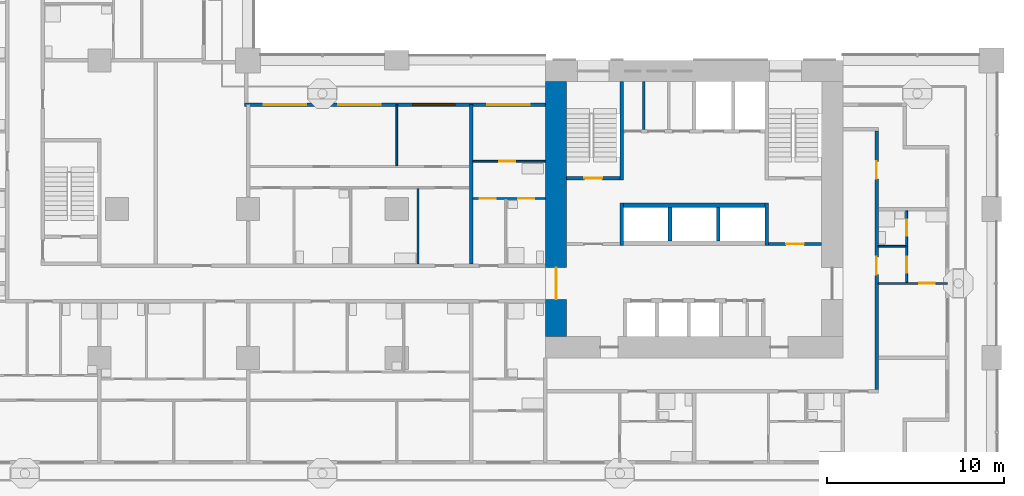
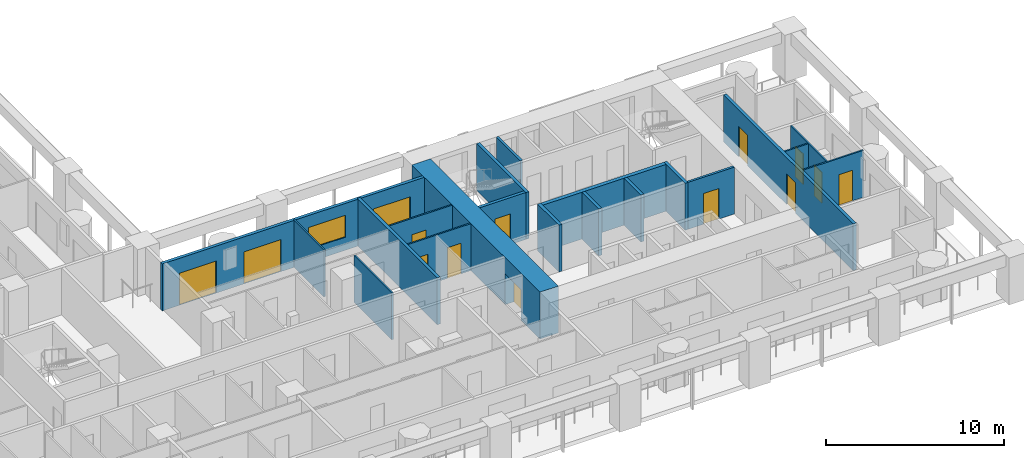
# One storey, part 7 of 22: 20 walls, 14 doors, 1 window, 15 openings.
"""IFC4 building model written with IfcOpenShell, lengths in metres."""

from ifc_helpers import new_model, si_unit, direction, frame, frame_2d, origin, place, context, subcontext, project, spatial, rectangle, extrude, material, layer, layer_set, type_object, element, fill, save


model = new_model("IFC4")

# Units and contexts
model_context = context("Model", 3, precision=1e-05, world=origin(), true_north=direction((0.0, 1.0)))
body_context = subcontext(model_context, "Body", "Model", "MODEL_VIEW")
ifc_project = project(units=[si_unit("LENGTHUNIT", "METRE"), si_unit("AREAUNIT", "SQUARE_METRE"), si_unit("VOLUMEUNIT", "CUBIC_METRE"), si_unit("PLANEANGLEUNIT", "RADIAN"), si_unit("MASSUNIT", "GRAM", prefix="KILO")], contexts=[model_context])

# Site, building, storey
site_placement = place(None, origin())
site = spatial("IfcSite", under=ifc_project, at=site_placement, CompositionType="ELEMENT")
building_placement = place(site_placement, origin())
building = spatial("IfcBuilding", under=site, at=building_placement, Name="Vermilion Gate Residences", CompositionType="ELEMENT")
storey_placement = place(building_placement, frame((0.0, 0.0, 63.699951171875)))
storey = spatial("IfcBuildingStorey", under=building, at=storey_placement, Name="L15", CompositionType="ELEMENT", Elevation=63.699951171875)

# Wall
ifc_material_1 = material(Name="Masonry blockwork", Category="masonry")
ifc_layer_1 = layer(ifc_material_1, 0.14990234375)
ifc_layer_set_1 = layer_set([ifc_layer_1], Name="BLOCKWORK PARTITION 150 EI 120")
wall_type_1 = type_object("IfcWallType", Name="BLOCKWORK PARTITION 150 EI 120", PredefinedType="PARTITIONING", material=ifc_layer_set_1)
wall_1_placement = place(storey_placement, frame((47.554931640625, 21.300048828125, 0.0), z_axis=(0.0, 0.0, 1.0), x_axis=(0.0, 1.0, 0.0)))
element("IfcWall", 1, at=wall_1_placement, inside=storey, type_object=wall_type_1, Name="Core room partition A15-NR-P0", PredefinedType="PARTITIONING", context=body_context, shape_type="SweptSolid", body=[
    extrude(rectangle(XDim=2.699951171875, YDim=0.14990234375, at=frame_2d((1.35009765625, 0.0))), origin(), (0.0, 0.0, 1.0), 3.219970703125),
])

# Wall, opening, door
wall_2_placement = place(storey_placement, frame((54.60009765625, 14.824951171875, 0.0), z_axis=(0.0, 0.0, 1.0), x_axis=(1.0, 0.0, 0.0)))
wall_2 = element("IfcWall", 2, at=wall_2_placement, inside=storey, type_object=wall_type_1, Name="Core room partition A15-VE-S", PredefinedType="PARTITIONING", context=body_context, shape_type="SweptSolid", body=[
    extrude(rectangle(XDim=3.0, YDim=0.14990234375, at=frame_2d((1.5, 0.0))), origin(), (0.0, 0.0, 1.0), 3.219970703125),
])
opening_1_placement = place(wall_2_placement, frame((1.0, 0.0, 0.0)))
opening_1 = element("IfcOpeningElement", 3, at=opening_1_placement, cuts=wall_2, Name="Opening DK15017", PredefinedType="OPENING", context=body_context, shape_type="SweptSolid", body=[
    extrude(rectangle(XDim=1.0, YDim=2.10009765625, at=frame_2d((0.5, 1.050048828125))), frame((0.0, 0.0849609375, 0.0), z_axis=(0.0, -1.0, 0.0), x_axis=(1.0, 0.0, 0.0)), (0.0, 0.0, 1.0), 0.169921875),
])
ifc_material_2 = material(Name="Steel", Category="steel")
door_type_1 = type_object("IfcDoorType", Name="FIRE DOOR FD60 1000 X 2100", OperationType="SINGLE_SWING_LEFT", PredefinedType="DOOR", material=ifc_material_2)
door_1_placement = place(opening_1_placement, frame((1.0, 0.0, 0.0), z_axis=(0.0, 0.0, 1.0), x_axis=(-1.0, 0.0, 0.0)))
door_1 = element("IfcDoor", 4, at=door_1_placement, inside=storey, type_object=door_type_1, Name="Stair vestibule door A15", OperationType="SINGLE_SWING_LEFT", OverallHeight=2.10009765625, OverallWidth=1.0, PredefinedType="DOOR", context=body_context, shape_type="SweptSolid", body=[
    extrude(rectangle(XDim=1.0, YDim=2.10009765625, at=frame_2d((0.5, 1.050048828125))), frame((0.0, 0.02490234375, 0.0), z_axis=(0.0, -1.0, 0.0), x_axis=(1.0, 0.0, 0.0)), (0.0, 0.0, 1.0), 0.050048828125),
])
fill(opening_1, door_1)

# Wall, openings, doors, window
ifc_material_3 = material(Name="Insulated steel stud wall with terracotta rainscreen", Category="masonry")
ifc_layer_2 = layer(ifc_material_3, 0.199951171875)
ifc_layer_set_2 = layer_set([ifc_layer_2], Name="EXTERNAL WALL 200 TERRACOTTA RAINSCREEN")
wall_type_2 = type_object("IfcWallType", Name="EXTERNAL WALL 200 TERRACOTTA RAINSCREEN", PredefinedType="SOLIDWALL", material=ifc_layer_set_2)
wall_3_placement = place(storey_placement, frame((42.0, 22.699951171875, 0.0), z_axis=(0.0, 0.0, 1.0), x_axis=(-1.0, 0.0, 0.0)))
wall_3 = element("IfcWall", 5, at=wall_3_placement, inside=storey, type_object=wall_type_2, Name="External wall", PredefinedType="SOLIDWALL", context=body_context, shape_type="SweptSolid", body=[
    extrude(rectangle(XDim=17.0, YDim=0.199951171875, at=frame_2d((8.5, 0.0))), origin(), (0.0, 0.0, 1.0), 3.219970703125),
])
opening_2_placement = place(wall_3_placement, frame((13.5, 0.0, 0.0)))
opening_2 = element("IfcOpeningElement", 6, at=opening_2_placement, cuts=wall_3, Name="Opening DE15033", PredefinedType="OPENING", context=body_context, shape_type="SweptSolid", body=[
    extrude(rectangle(XDim=2.39990234375, YDim=2.199951171875, at=frame_2d((1.199951171875, 1.10009765625))), frame((0.0, 0.10986328125, 0.0), z_axis=(0.0, -1.0, 0.0), x_axis=(1.0, 0.0, 0.0)), (0.0, 0.0, 1.0), 0.219970703125),
])
opening_3_placement = place(wall_3_placement, frame((9.300048828125, 0.0, 0.0)))
opening_3 = element("IfcOpeningElement", 7, at=opening_3_placement, cuts=wall_3, Name="Opening DE15034", PredefinedType="OPENING", context=body_context, shape_type="SweptSolid", body=[
    extrude(rectangle(XDim=2.39990234375, YDim=2.199951171875, at=frame_2d((1.199951171875, 1.10009765625))), frame((0.0, 0.10986328125, 0.0), z_axis=(0.0, -1.0, 0.0), x_axis=(1.0, 0.0, 0.0)), (0.0, 0.0, 1.0), 0.219970703125),
])
opening_4_placement = place(wall_3_placement, frame((5.10009765625, 0.0, 0.89990234375)))
opening_4 = element("IfcOpeningElement", 8, at=opening_4_placement, cuts=wall_3, Name="Opening WE15035", PredefinedType="OPENING", context=body_context, shape_type="SweptSolid", body=[
    extrude(rectangle(XDim=2.39990234375, YDim=1.5, at=frame_2d((1.199951171875, 0.75))), frame((0.0, 0.10986328125, 0.0), z_axis=(0.0, -1.0, 0.0), x_axis=(1.0, 0.0, 0.0)), (0.0, 0.0, 1.0), 0.219970703125),
])
opening_5_placement = place(wall_3_placement, frame((0.89990234375, 0.0, 0.0)))
opening_5 = element("IfcOpeningElement", 9, at=opening_5_placement, cuts=wall_3, Name="Opening DE15036", PredefinedType="OPENING", context=body_context, shape_type="SweptSolid", body=[
    extrude(rectangle(XDim=2.39990234375, YDim=2.199951171875, at=frame_2d((1.199951171875, 1.10009765625))), frame((0.0, 0.10986328125, 0.0), z_axis=(0.0, -1.0, 0.0), x_axis=(1.0, 0.0, 0.0)), (0.0, 0.0, 1.0), 0.219970703125),
])
ifc_material_4 = material(Name="Aluminium and clear glass", Category="aluminium")
door_type_2 = type_object("IfcDoorType", Name="SLIDING GLAZED DOOR 2400 X 2200", OperationType="DOUBLE_DOOR_SLIDING", PredefinedType="DOOR", material=ifc_material_4)
door_2_placement = place(opening_2_placement, origin())
door_2 = element("IfcDoor", 10, at=door_2_placement, inside=storey, type_object=door_type_2, Name="Loggia sliding door", OperationType="DOUBLE_DOOR_SLIDING", OverallHeight=2.199951171875, OverallWidth=2.39990234375, PredefinedType="DOOR", context=body_context, shape_type="SweptSolid", body=[
    extrude(rectangle(XDim=2.39990234375, YDim=2.199951171875, at=frame_2d((1.199951171875, 1.10009765625))), frame((0.0, 0.02490234375, 0.0), z_axis=(0.0, -1.0, 0.0), x_axis=(1.0, 0.0, 0.0)), (0.0, 0.0, 1.0), 0.050048828125),
])
fill(opening_2, door_2)
door_3_placement = place(opening_3_placement, origin())
door_3 = element("IfcDoor", 11, at=door_3_placement, inside=storey, type_object=door_type_2, Name="Loggia sliding door", OperationType="DOUBLE_DOOR_SLIDING", OverallHeight=2.199951171875, OverallWidth=2.39990234375, PredefinedType="DOOR", context=body_context, shape_type="SweptSolid", body=[
    extrude(rectangle(XDim=2.39990234375, YDim=2.199951171875, at=frame_2d((1.199951171875, 1.10009765625))), frame((0.0, 0.02490234375, 0.0), z_axis=(0.0, -1.0, 0.0), x_axis=(1.0, 0.0, 0.0)), (0.0, 0.0, 1.0), 0.050048828125),
])
fill(opening_3, door_3)
door_4_placement = place(opening_5_placement, origin())
door_4 = element("IfcDoor", 12, at=door_4_placement, inside=storey, type_object=door_type_2, Name="Loggia sliding door", OperationType="DOUBLE_DOOR_SLIDING", OverallHeight=2.199951171875, OverallWidth=2.39990234375, PredefinedType="DOOR", context=body_context, shape_type="SweptSolid", body=[
    extrude(rectangle(XDim=2.39990234375, YDim=2.199951171875, at=frame_2d((1.199951171875, 1.10009765625))), frame((0.0, 0.02490234375, 0.0), z_axis=(0.0, -1.0, 0.0), x_axis=(1.0, 0.0, 0.0)), (0.0, 0.0, 1.0), 0.050048828125),
])
fill(opening_5, door_4)
ifc_material_5 = material(Name="Aluminium and clear glass", Category="aluminium")
window_type = type_object("IfcWindowType", Name="WINDOW 2400 X 1500", PartitioningType="SINGLE_PANEL", PredefinedType="WINDOW", material=ifc_material_5)
window_placement = place(opening_4_placement, origin())
window = element("IfcWindow", 13, at=window_placement, inside=storey, type_object=window_type, Name="Window", OverallHeight=1.5, OverallWidth=2.39990234375, PartitioningType="SINGLE_PANEL", PredefinedType="WINDOW", context=body_context, shape_type="SweptSolid", body=[
    extrude(rectangle(XDim=2.39990234375, YDim=1.5, at=frame_2d((1.199951171875, 0.75))), frame((0.0, 0.030029296875, 0.0), z_axis=(0.0, -1.0, 0.0), x_axis=(1.0, 0.0, 0.0)), (0.0, 0.0, 1.0), 0.06005859375),
])
fill(opening_4, window)

# Wall, opening, door
ifc_material_6 = material(Name="Plasterboard on steel studs", Category="steel")
ifc_layer_3 = layer(ifc_material_6, 0.10009765625)
ifc_layer_set_3 = layer_set([ifc_layer_3], Name="PARTITION 100")
wall_type_3 = type_object("IfcWallType", Name="PARTITION 100", PredefinedType="PARTITIONING", material=ifc_layer_set_3)
wall_4_placement = place(storey_placement, frame((60.800048828125, 12.60009765625, 0.0), z_axis=(0.0, 0.0, 1.0), x_axis=(1.0, 0.0, 0.0)))
wall_4 = element("IfcWall", 14, at=wall_4_placement, inside=storey, type_object=wall_type_3, Name="Partition", PredefinedType="PARTITIONING", context=body_context, shape_type="SweptSolid", body=[
    extrude(rectangle(XDim=3.89990234375, YDim=0.10009765625, at=frame_2d((1.949951171875, 0.0))), origin(), (0.0, 0.0, 1.0), 3.219970703125),
])
opening_6_placement = place(wall_4_placement, frame((2.300048828125, 0.0, 0.0)))
opening_6 = element("IfcOpeningElement", 15, at=opening_6_placement, cuts=wall_4, Name="Opening DA13031", PredefinedType="OPENING", context=body_context, shape_type="SweptSolid", body=[
    extrude(rectangle(XDim=0.89990234375, YDim=2.10009765625, at=frame_2d((0.449951171875, 1.050048828125))), frame((0.0, 0.06005859375, 0.0), z_axis=(0.0, -1.0, 0.0), x_axis=(1.0, 0.0, 0.0)), (0.0, 0.0, 1.0), 0.1201171875),
])
ifc_material_7 = material(Name="Timber", Category="wood")
door_type_3 = type_object("IfcDoorType", Name="INTERIOR DOOR 900 X 2100", OperationType="SINGLE_SWING_LEFT", PredefinedType="DOOR", material=ifc_material_7)
door_5_placement = place(opening_6_placement, origin())
door_5 = element("IfcDoor", 16, at=door_5_placement, inside=storey, type_object=door_type_3, Name="Interior door", OperationType="SINGLE_SWING_RIGHT", OverallHeight=2.10009765625, OverallWidth=0.89990234375, PredefinedType="DOOR", context=body_context, shape_type="SweptSolid", body=[
    extrude(rectangle(XDim=0.89990234375, YDim=2.10009765625, at=frame_2d((0.449951171875, 1.050048828125))), frame((0.0, 0.02490234375, 0.0), z_axis=(0.0, -1.0, 0.0), x_axis=(1.0, 0.0, 0.0)), (0.0, 0.0, 1.0), 0.050048828125),
])
fill(opening_6, door_5)

# Wall
wall_5_placement = place(storey_placement, frame((60.800048828125, 14.699951171875, 0.0), z_axis=(0.0, 0.0, 1.0), x_axis=(1.0, 0.0, 0.0)))
element("IfcWall", 17, at=wall_5_placement, inside=storey, type_object=wall_type_3, Name="Partition", PredefinedType="PARTITIONING", context=body_context, shape_type="SweptSolid", body=[
    extrude(rectangle(XDim=1.550048828125, YDim=0.10009765625, at=frame_2d((0.77490234375, 0.0))), origin(), (0.0, 0.0, 1.0), 3.219970703125),
])

# Wall, openings, doors
wall_6_placement = place(storey_placement, frame((37.89990234375, 17.39990234375, 0.0), z_axis=(0.0, 0.0, 1.0), x_axis=(1.0, 0.0, 0.0)))
wall_6 = element("IfcWall", 18, at=wall_6_placement, inside=storey, type_object=wall_type_3, Name="Partition", PredefinedType="PARTITIONING", context=body_context, shape_type="SweptSolid", body=[
    extrude(rectangle(XDim=4.10009765625, YDim=0.10009765625, at=frame_2d((2.050048828125, 0.0))), origin(), (0.0, 0.0, 1.0), 3.219970703125),
])
opening_7_placement = place(wall_6_placement, frame((0.39990234375, 0.0, 0.0)))
opening_7 = element("IfcOpeningElement", 19, at=opening_7_placement, cuts=wall_6, Name="Opening DA13035", PredefinedType="OPENING", context=body_context, shape_type="SweptSolid", body=[
    extrude(rectangle(XDim=0.89990234375, YDim=2.10009765625, at=frame_2d((0.449951171875, 1.050048828125))), frame((0.0, 0.06005859375, 0.0), z_axis=(0.0, -1.0, 0.0), x_axis=(1.0, 0.0, 0.0)), (0.0, 0.0, 1.0), 0.1201171875),
])
opening_8_placement = place(wall_6_placement, frame((2.56005859375, 0.0, 0.0)))
opening_8 = element("IfcOpeningElement", 20, at=opening_8_placement, cuts=wall_6, Name="Opening DA13036", PredefinedType="OPENING", context=body_context, shape_type="SweptSolid", body=[
    extrude(rectangle(XDim=0.89990234375, YDim=2.10009765625, at=frame_2d((0.449951171875, 1.050048828125))), frame((0.0, 0.06005859375, 0.0), z_axis=(0.0, -1.0, 0.0), x_axis=(1.0, 0.0, 0.0)), (0.0, 0.0, 1.0), 0.1201171875),
])
door_6_placement = place(opening_7_placement, origin())
door_6 = element("IfcDoor", 21, at=door_6_placement, inside=storey, type_object=door_type_3, Name="Interior door", OperationType="SINGLE_SWING_LEFT", OverallHeight=2.10009765625, OverallWidth=0.89990234375, PredefinedType="DOOR", context=body_context, shape_type="SweptSolid", body=[
    extrude(rectangle(XDim=0.89990234375, YDim=2.10009765625, at=frame_2d((0.449951171875, 1.050048828125))), frame((0.0, 0.02490234375, 0.0), z_axis=(0.0, -1.0, 0.0), x_axis=(1.0, 0.0, 0.0)), (0.0, 0.0, 1.0), 0.050048828125),
])
fill(opening_7, door_6)
door_7_placement = place(opening_8_placement, frame((0.89990234375, 0.0, 0.0), z_axis=(0.0, 0.0, 1.0), x_axis=(-1.0, 0.0, 0.0)))
door_7 = element("IfcDoor", 22, at=door_7_placement, inside=storey, type_object=door_type_3, Name="Interior door", OperationType="SINGLE_SWING_RIGHT", OverallHeight=2.10009765625, OverallWidth=0.89990234375, PredefinedType="DOOR", context=body_context, shape_type="SweptSolid", body=[
    extrude(rectangle(XDim=0.89990234375, YDim=2.10009765625, at=frame_2d((0.449951171875, 1.050048828125))), frame((0.0, 0.02490234375, 0.0), z_axis=(0.0, -1.0, 0.0), x_axis=(1.0, 0.0, 0.0)), (0.0, 0.0, 1.0), 0.050048828125),
])
fill(opening_8, door_7)

# Wall, opening, door
wall_7_placement = place(storey_placement, frame((37.89990234375, 19.5, 0.0), z_axis=(0.0, 0.0, 1.0), x_axis=(1.0, 0.0, 0.0)))
wall_7 = element("IfcWall", 23, at=wall_7_placement, inside=storey, type_object=wall_type_3, Name="Partition", PredefinedType="PARTITIONING", context=body_context, shape_type="SweptSolid", body=[
    extrude(rectangle(XDim=4.10009765625, YDim=0.10009765625, at=frame_2d((2.050048828125, 0.0))), origin(), (0.0, 0.0, 1.0), 3.219970703125),
])
opening_9_placement = place(wall_7_placement, frame((1.5, 0.0, 0.0)))
opening_9 = element("IfcOpeningElement", 24, at=opening_9_placement, cuts=wall_7, Name="Opening DA13043", PredefinedType="OPENING", context=body_context, shape_type="SweptSolid", body=[
    extrude(rectangle(XDim=0.89990234375, YDim=2.10009765625, at=frame_2d((0.449951171875, 1.050048828125))), frame((0.0, 0.06005859375, 0.0), z_axis=(0.0, -1.0, 0.0), x_axis=(1.0, 0.0, 0.0)), (0.0, 0.0, 1.0), 0.1201171875),
])
door_8_placement = place(opening_9_placement, frame((0.89990234375, 0.0, 0.0), z_axis=(0.0, 0.0, 1.0), x_axis=(-1.0, 0.0, 0.0)))
door_8 = element("IfcDoor", 25, at=door_8_placement, inside=storey, type_object=door_type_3, Name="Interior door", OperationType="SINGLE_SWING_LEFT", OverallHeight=2.10009765625, OverallWidth=0.89990234375, PredefinedType="DOOR", context=body_context, shape_type="SweptSolid", body=[
    extrude(rectangle(XDim=0.89990234375, YDim=2.10009765625, at=frame_2d((0.449951171875, 1.050048828125))), frame((0.0, 0.02490234375, 0.0), z_axis=(0.0, -1.0, 0.0), x_axis=(1.0, 0.0, 0.0)), (0.0, 0.0, 1.0), 0.050048828125),
])
fill(opening_9, door_8)

# Walls
wall_8_placement = place(storey_placement, frame((33.60009765625, 19.25, 0.0), z_axis=(0.0, 0.0, 1.0), x_axis=(0.0, 1.0, 0.0)))
element("IfcWall", 26, at=wall_8_placement, inside=storey, type_object=wall_type_3, Name="Partition", PredefinedType="PARTITIONING", context=body_context, shape_type="SweptSolid", body=[
    extrude(rectangle(XDim=3.449951171875, YDim=0.10009765625, at=frame_2d((1.72509765625, 0.0))), origin(), (0.0, 0.0, 1.0), 3.219970703125),
])
wall_9_placement = place(storey_placement, frame((34.800048828125, 13.699951171875, 0.0), z_axis=(0.0, 0.0, 1.0), x_axis=(0.0, 1.0, 0.0)))
element("IfcWall", 27, at=wall_9_placement, inside=storey, type_object=wall_type_3, Name="Partition", PredefinedType="PARTITIONING", context=body_context, shape_type="SweptSolid", body=[
    extrude(rectangle(XDim=4.25, YDim=0.10009765625, at=frame_2d((2.125, 0.0))), origin(), (0.0, 0.0, 1.0), 3.219970703125),
])

# Wall, openings, doors
wall_10_placement = place(storey_placement, frame((62.39990234375, 12.64990234375, 0.0), z_axis=(0.0, 0.0, 1.0), x_axis=(0.0, 1.0, 0.0)))
wall_10 = element("IfcWall", 28, at=wall_10_placement, inside=storey, type_object=wall_type_3, Name="Partition", PredefinedType="PARTITIONING", context=body_context, shape_type="SweptSolid", body=[
    extrude(rectangle(XDim=4.050048828125, YDim=0.10009765625, at=frame_2d((2.02490234375, 0.0))), origin(), (0.0, 0.0, 1.0), 3.219970703125),
])
opening_10_placement = place(wall_10_placement, frame((0.550048828125, 0.0, 0.0)))
opening_10 = element("IfcOpeningElement", 29, at=opening_10_placement, cuts=wall_10, Name="Opening DA13085", PredefinedType="OPENING", context=body_context, shape_type="SweptSolid", body=[
    extrude(rectangle(XDim=0.89990234375, YDim=2.10009765625, at=frame_2d((0.449951171875, 1.050048828125))), frame((0.0, 0.06005859375, 0.0), z_axis=(0.0, -1.0, 0.0), x_axis=(1.0, 0.0, 0.0)), (0.0, 0.0, 1.0), 0.1201171875),
])
opening_11_placement = place(wall_10_placement, frame((2.64990234375, 0.0, 0.0)))
opening_11 = element("IfcOpeningElement", 30, at=opening_11_placement, cuts=wall_10, Name="Opening DA13086", PredefinedType="OPENING", context=body_context, shape_type="SweptSolid", body=[
    extrude(rectangle(XDim=0.89990234375, YDim=2.10009765625, at=frame_2d((0.449951171875, 1.050048828125))), frame((0.0, 0.06005859375, 0.0), z_axis=(0.0, -1.0, 0.0), x_axis=(1.0, 0.0, 0.0)), (0.0, 0.0, 1.0), 0.1201171875),
])
door_9_placement = place(opening_10_placement, frame((0.89990234375, 0.0, 0.0), z_axis=(0.0, 0.0, 1.0), x_axis=(-1.0, 0.0, 0.0)))
door_9 = element("IfcDoor", 31, at=door_9_placement, inside=storey, type_object=door_type_3, Name="Interior door", OperationType="SINGLE_SWING_RIGHT", OverallHeight=2.10009765625, OverallWidth=0.89990234375, PredefinedType="DOOR", context=body_context, shape_type="SweptSolid", body=[
    extrude(rectangle(XDim=0.89990234375, YDim=2.10009765625, at=frame_2d((0.449951171875, 1.050048828125))), frame((0.0, 0.02490234375, 0.0), z_axis=(0.0, -1.0, 0.0), x_axis=(1.0, 0.0, 0.0)), (0.0, 0.0, 1.0), 0.050048828125),
])
fill(opening_10, door_9)
door_10_placement = place(opening_11_placement, origin())
door_10 = element("IfcDoor", 32, at=door_10_placement, inside=storey, type_object=door_type_3, Name="Interior door", OperationType="SINGLE_SWING_RIGHT", OverallHeight=2.10009765625, OverallWidth=0.89990234375, PredefinedType="DOOR", context=body_context, shape_type="SweptSolid", body=[
    extrude(rectangle(XDim=0.89990234375, YDim=2.10009765625, at=frame_2d((0.449951171875, 1.050048828125))), frame((0.0, 0.02490234375, 0.0), z_axis=(0.0, -1.0, 0.0), x_axis=(1.0, 0.0, 0.0)), (0.0, 0.0, 1.0), 0.050048828125),
])
fill(opening_11, door_10)

# Wall
ifc_material_8 = material(Name="Fire-rated plasterboard on steel studs", Category="steel")
ifc_layer_4 = layer(ifc_material_8, 0.199951171875)
ifc_layer_set_4 = layer_set([ifc_layer_4], Name="PARTY WALL 200 EI 120")
wall_type_4 = type_object("IfcWallType", Name="PARTY WALL 200 EI 120", PredefinedType="PARTITIONING", material=ifc_layer_set_4)
wall_11_placement = place(storey_placement, frame((37.800048828125, 13.699951171875, 0.0), z_axis=(0.0, 0.0, 1.0), x_axis=(0.0, 1.0, 0.0)))
element("IfcWall", 33, at=wall_11_placement, inside=storey, type_object=wall_type_4, Name="Party and corridor wall", PredefinedType="PARTITIONING", context=body_context, shape_type="SweptSolid", body=[
    extrude(rectangle(XDim=9.0, YDim=0.199951171875, at=frame_2d((4.5, 0.0))), origin(), (0.0, 0.0, 1.0), 3.219970703125),
])

# Wall, openings, doors
wall_12_placement = place(storey_placement, frame((60.699951171875, 6.60009765625, 0.0), z_axis=(0.0, 0.0, 1.0), x_axis=(0.0, 1.0, 0.0)))
wall_12 = element("IfcWall", 34, at=wall_12_placement, inside=storey, type_object=wall_type_4, Name="Party and corridor wall", PredefinedType="PARTITIONING", context=body_context, shape_type="SweptSolid", body=[
    extrude(rectangle(XDim=14.599853515625, YDim=0.199951171875, at=frame_2d((7.2998046875, 0.0))), origin(), (0.0, 0.0, 1.0), 3.219970703125),
])
opening_12_placement = place(wall_12_placement, frame((6.5, 0.0, 0.0)))
opening_12 = element("IfcOpeningElement", 35, at=opening_12_placement, cuts=wall_12, Name="Opening DA13083", PredefinedType="OPENING", context=body_context, shape_type="SweptSolid", body=[
    extrude(rectangle(XDim=1.0, YDim=2.10009765625, at=frame_2d((0.5, 1.050048828125))), frame((0.0, 0.10986328125, 0.0), z_axis=(0.0, -1.0, 0.0), x_axis=(1.0, 0.0, 0.0)), (0.0, 0.0, 1.0), 0.219970703125),
])
opening_13_placement = place(wall_12_placement, frame((11.89990234375, 0.0, 0.0)))
opening_13 = element("IfcOpeningElement", 36, at=opening_13_placement, cuts=wall_12, Name="Opening DA13084", PredefinedType="OPENING", context=body_context, shape_type="SweptSolid", body=[
    extrude(rectangle(XDim=1.0, YDim=2.10009765625, at=frame_2d((0.5, 1.050048828125))), frame((0.0, 0.10986328125, 0.0), z_axis=(0.0, -1.0, 0.0), x_axis=(1.0, 0.0, 0.0)), (0.0, 0.0, 1.0), 0.219970703125),
])
ifc_material_9 = material(Name="Steel", Category="steel")
door_type_4 = type_object("IfcDoorType", Name="ENTRANCE DOOR 1000 X 2100 FD30", OperationType="SINGLE_SWING_LEFT", PredefinedType="DOOR", material=ifc_material_9)
door_11_placement = place(opening_12_placement, frame((1.0, 0.0, 0.0), z_axis=(0.0, 0.0, 1.0), x_axis=(-1.0, 0.0, 0.0)))
door_11 = element("IfcDoor", 37, at=door_11_placement, inside=storey, type_object=door_type_4, Name="Entrance door", OperationType="SINGLE_SWING_RIGHT", OverallHeight=2.10009765625, OverallWidth=1.0, PredefinedType="DOOR", context=body_context, shape_type="SweptSolid", body=[
    extrude(rectangle(XDim=1.0, YDim=2.10009765625, at=frame_2d((0.5, 1.050048828125))), frame((0.0, 0.02490234375, 0.0), z_axis=(0.0, -1.0, 0.0), x_axis=(1.0, 0.0, 0.0)), (0.0, 0.0, 1.0), 0.050048828125),
])
fill(opening_12, door_11)
door_12_placement = place(opening_13_placement, frame((1.0, 0.0, 0.0), z_axis=(0.0, 0.0, 1.0), x_axis=(-1.0, 0.0, 0.0)))
door_12 = element("IfcDoor", 38, at=door_12_placement, inside=storey, type_object=door_type_4, Name="Entrance door", OperationType="SINGLE_SWING_RIGHT", OverallHeight=2.10009765625, OverallWidth=1.0, PredefinedType="DOOR", context=body_context, shape_type="SweptSolid", body=[
    extrude(rectangle(XDim=1.0, YDim=2.10009765625, at=frame_2d((0.5, 1.050048828125))), frame((0.0, 0.02490234375, 0.0), z_axis=(0.0, -1.0, 0.0), x_axis=(1.0, 0.0, 0.0)), (0.0, 0.0, 1.0), 0.050048828125),
])
fill(opening_13, door_12)

# Walls
ifc_material_10 = material(Name="Concrete C60", Category="concrete")
ifc_layer_5 = layer(ifc_material_10, 0.199951171875)
ifc_layer_set_5 = layer_set([ifc_layer_5], Name="RC CORE INTERNAL WALL 200 C60")
wall_type_5 = type_object("IfcWallType", Name="RC CORE INTERNAL WALL 200 C60", PredefinedType="SHEAR", material=ifc_layer_set_5)
for number, where, z_axis, x_axis, name in (
    (39, (49.033447265625, 15.0, 0.0), (0.0, 0.0, 1.0), (0.0, 1.0, 0.0), "Core internal wall A15-HR-D1"),
    (40, (51.7666015625, 15.0, 0.0), (0.0, 0.0, 1.0), (0.0, 1.0, 0.0), "Core internal wall A15-HR-D2"),
):
    element("IfcWall", number, at=place(storey_placement, frame(where, z_axis=z_axis, x_axis=x_axis)), inside=storey, type_object=wall_type_5, Name=name, PredefinedType="SHEAR", context=body_context, shape_type="SweptSolid", body=[
        extrude(rectangle(XDim=1.89990234375, YDim=0.199951171875, at=frame_2d((0.949951171875, 0.0))), origin(), (0.0, 0.0, 1.0), 3.219970703125),
    ])
wall_13_placement = place(storey_placement, frame((46.300048828125, 14.75, 0.0), z_axis=(0.0, 0.0, 1.0), x_axis=(0.0, 1.0, 0.0)))
element("IfcWall", 41, at=wall_13_placement, inside=storey, type_object=wall_type_5, Name="Core internal wall A15-WDIV1", PredefinedType="SHEAR", context=body_context, shape_type="SweptSolid", body=[
    extrude(rectangle(XDim=2.39990234375, YDim=0.199951171875, at=frame_2d((1.199951171875, 0.0))), origin(), (0.0, 0.0, 1.0), 3.219970703125),
])
wall_14_placement = place(storey_placement, frame((46.300048828125, 18.449951171875, 0.0), z_axis=(0.0, 0.0, 1.0), x_axis=(0.0, 1.0, 0.0)))
element("IfcWall", 42, at=wall_14_placement, inside=storey, type_object=wall_type_5, Name="Core internal wall A15-WDIV2", PredefinedType="SHEAR", context=body_context, shape_type="SweptSolid", body=[
    extrude(rectangle(XDim=5.550048828125, YDim=0.199951171875, at=frame_2d((2.77490234375, 0.0))), origin(), (0.0, 0.0, 1.0), 3.219970703125),
])

# Wall, opening, door
wall_15_placement = place(storey_placement, frame((43.199951171875, 18.550048828125, 0.0), z_axis=(0.0, 0.0, 1.0), x_axis=(1.0, 0.0, 0.0)))
wall_15 = element("IfcWall", 43, at=wall_15_placement, inside=storey, type_object=wall_type_5, Name="Core internal wall A15-STW-S", PredefinedType="SHEAR", context=body_context, shape_type="SweptSolid", body=[
    extrude(rectangle(XDim=3.0, YDim=0.199951171875, at=frame_2d((1.5, 0.0))), origin(), (0.0, 0.0, 1.0), 3.219970703125),
])
opening_14_placement = place(wall_15_placement, frame((1.0, 0.0, 0.0)))
opening_14 = element("IfcOpeningElement", 44, at=opening_14_placement, cuts=wall_15, Name="Opening DK15016", PredefinedType="OPENING", context=body_context, shape_type="SweptSolid", body=[
    extrude(rectangle(XDim=1.0, YDim=2.10009765625, at=frame_2d((0.5, 1.050048828125))), frame((0.0, 0.10986328125, 0.0), z_axis=(0.0, -1.0, 0.0), x_axis=(1.0, 0.0, 0.0)), (0.0, 0.0, 1.0), 0.219970703125),
])
door_13_placement = place(opening_14_placement, origin())
door_13 = element("IfcDoor", 45, at=door_13_placement, inside=storey, type_object=door_type_1, Name="Stair door A15", OperationType="SINGLE_SWING_LEFT", OverallHeight=2.10009765625, OverallWidth=1.0, PredefinedType="DOOR", context=body_context, shape_type="SweptSolid", body=[
    extrude(rectangle(XDim=1.0, YDim=2.10009765625, at=frame_2d((0.5, 1.050048828125))), frame((0.0, 0.02490234375, 0.0), z_axis=(0.0, -1.0, 0.0), x_axis=(1.0, 0.0, 0.0)), (0.0, 0.0, 1.0), 0.050048828125),
])
fill(opening_14, door_13)

# Wall
wall_16_placement = place(storey_placement, frame((54.5, 14.75, 0.0), z_axis=(0.0, 0.0, 1.0), x_axis=(0.0, 1.0, 0.0)))
element("IfcWall", 46, at=wall_16_placement, inside=storey, type_object=wall_type_5, Name="Core internal wall A15-EDIV1", PredefinedType="SHEAR", context=body_context, shape_type="SweptSolid", body=[
    extrude(rectangle(XDim=2.39990234375, YDim=0.199951171875, at=frame_2d((1.199951171875, 0.0))), origin(), (0.0, 0.0, 1.0), 3.219970703125),
])

# Wall, opening, door
ifc_material_11 = material(Name="Concrete C80", Category="concrete")
ifc_layer_6 = layer(ifc_material_11, 1.199951171875)
ifc_layer_set_6 = layer_set([ifc_layer_6], Name="RC CORE WALL 1200 C80")
wall_type_6 = type_object("IfcWallType", Name="RC CORE WALL 1200 C80", PredefinedType="SHEAR", material=ifc_layer_set_6)
wall_17_placement = place(storey_placement, frame((42.60009765625, 9.60009765625, 0.0), z_axis=(0.0, 0.0, 1.0), x_axis=(0.0, 1.0, 0.0)))
wall_17 = element("IfcWall", 47, at=wall_17_placement, inside=storey, type_object=wall_type_6, Name="Core wall A15-OUT-FR", PredefinedType="SHEAR", context=body_context, shape_type="SweptSolid", body=[
    extrude(rectangle(XDim=14.39990234375, YDim=1.199951171875, at=frame_2d((7.199951171875, 0.0))), origin(), (0.0, 0.0, 1.0), 3.219970703125),
])
opening_15_placement = place(wall_17_placement, frame((2.10009765625, 0.0, 0.0)))
opening_15 = element("IfcOpeningElement", 48, at=opening_15_placement, cuts=wall_17, Name="Opening DK15003", PredefinedType="OPENING", context=body_context, shape_type="SweptSolid", body=[
    extrude(rectangle(XDim=1.800048828125, YDim=2.10009765625, at=frame_2d((0.89990234375, 1.050048828125))), frame((0.0, 0.60986328125, 0.0), z_axis=(0.0, -1.0, 0.0), x_axis=(1.0, 0.0, 0.0)), (0.0, 0.0, 1.0), 1.219970703125),
])
ifc_material_12 = material(Name="Steel", Category="steel")
door_type_5 = type_object("IfcDoorType", Name="CORE LOBBY DOOR FD60 1800 X 2100", OperationType="DOUBLE_DOOR_SINGLE_SWING", PredefinedType="DOOR", material=ifc_material_12)
door_14_placement = place(opening_15_placement, frame((1.800048828125, 0.0, 0.0), z_axis=(0.0, 0.0, 1.0), x_axis=(-1.0, 0.0, 0.0)))
door_14 = element("IfcDoor", 49, at=door_14_placement, inside=storey, type_object=door_type_5, Name="Core lobby door A15", OperationType="DOUBLE_DOOR_SINGLE_SWING", OverallHeight=2.10009765625, OverallWidth=1.800048828125, PredefinedType="DOOR", context=body_context, shape_type="SweptSolid", body=[
    extrude(rectangle(XDim=1.800048828125, YDim=2.10009765625, at=frame_2d((0.89990234375, 1.050048828125))), frame((0.0, 0.02490234375, 0.0), z_axis=(0.0, -1.0, 0.0), x_axis=(1.0, 0.0, 0.0)), (0.0, 0.0, 1.0), 0.050048828125),
])
fill(opening_15, door_14)

# Wall
ifc_material_13 = material(Name="Concrete C60", Category="concrete")
ifc_layer_7 = layer(ifc_material_13, 0.25)
ifc_layer_set_7 = layer_set([ifc_layer_7], Name="RC LIFT SHAFT WALL 250 C60")
wall_type_7 = type_object("IfcWallType", Name="RC LIFT SHAFT WALL 250 C60", PredefinedType="SHEAR", material=ifc_layer_set_7)
wall_18_placement = place(storey_placement, frame((46.39990234375, 17.02490234375, 0.0), z_axis=(0.0, 0.0, 1.0), x_axis=(1.0, 0.0, 0.0)))
element("IfcWall", 50, at=wall_18_placement, inside=storey, type_object=wall_type_7, Name="Lift shaft wall A15-HR-B", PredefinedType="SHEAR", context=body_context, shape_type="SweptSolid", body=[
    extrude(rectangle(XDim=8.0, YDim=0.25, at=frame_2d((4.0, 0.0))), origin(), (0.0, 0.0, 1.0), 3.219970703125),
])

save(model, "model.ifc")
